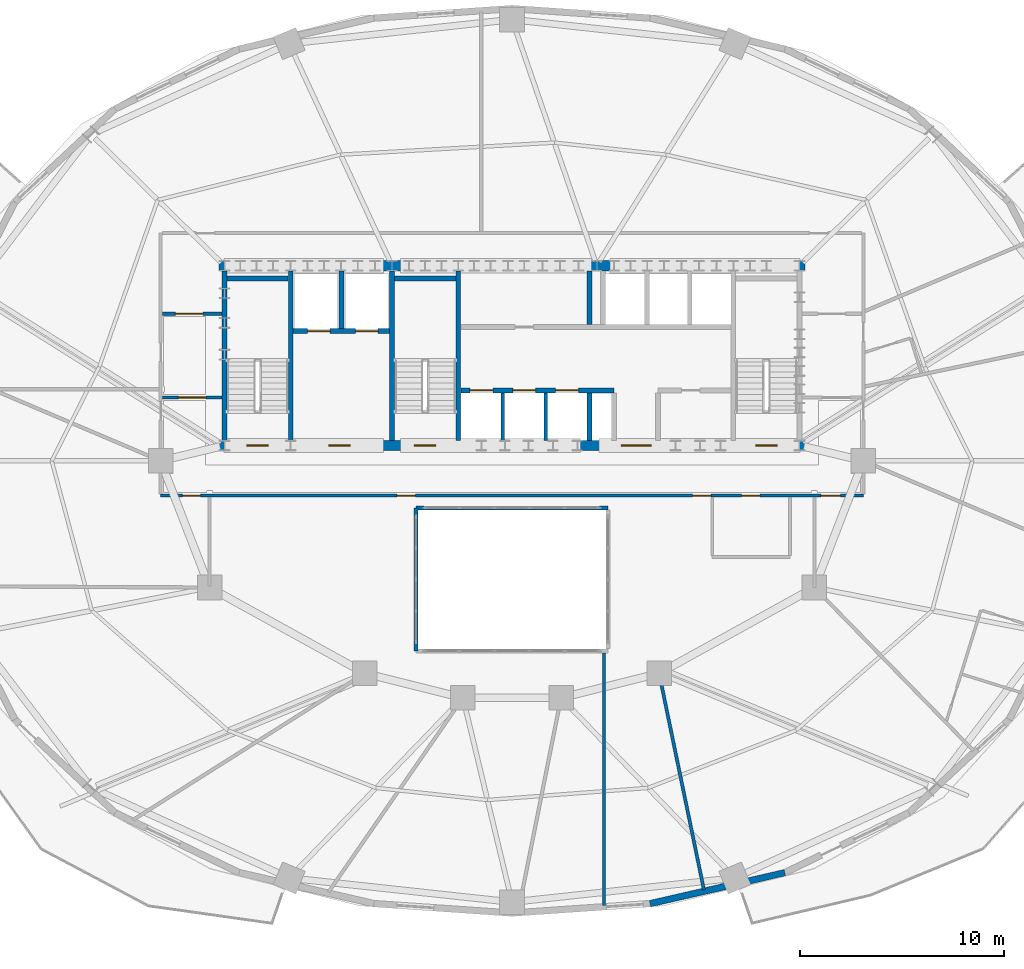
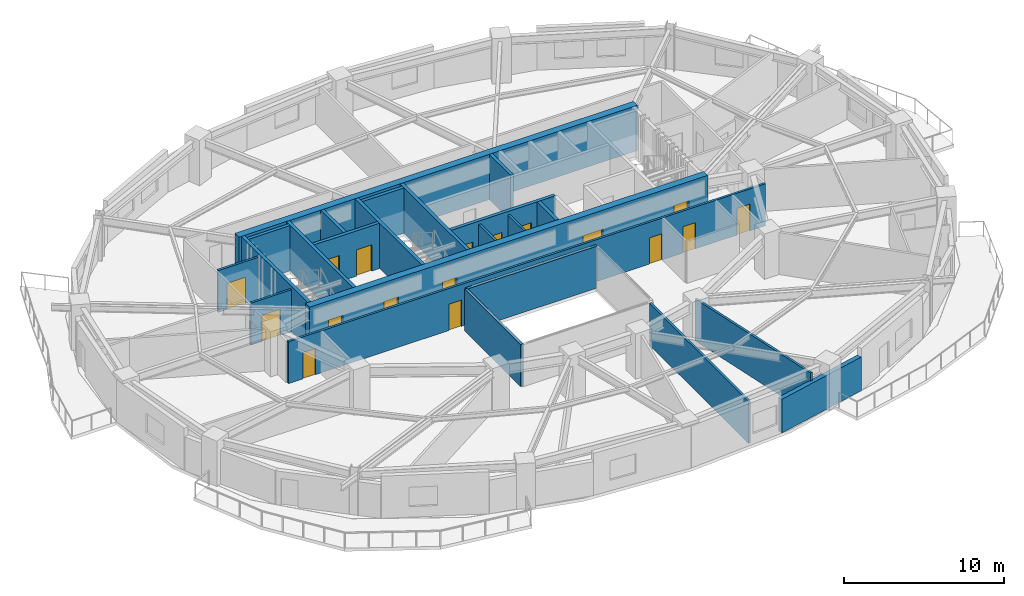
# One storey, part 7 of 12: 23 walls, 17 doors, 17 openings.
"""IFC4 building model written with IfcOpenShell, lengths in metres."""

from ifc_helpers import new_model, si_unit, direction, frame, frame_2d, origin, place, context, subcontext, project, spatial, rectangle, extrude, material, layer, layer_set, type_object, element, fill, save


model = new_model("IFC4")

# Units and contexts
model_context = context("Model", 3, precision=1e-05, world=origin(), true_north=direction((0.0, 1.0)))
body_context = subcontext(model_context, "Body", "Model", "MODEL_VIEW")
ifc_project = project(units=[si_unit("LENGTHUNIT", "METRE"), si_unit("AREAUNIT", "SQUARE_METRE"), si_unit("VOLUMEUNIT", "CUBIC_METRE"), si_unit("PLANEANGLEUNIT", "RADIAN"), si_unit("MASSUNIT", "GRAM", prefix="KILO")], contexts=[model_context])

# Site, building, storey
site_placement = place(None, origin())
site = spatial("IfcSite", under=ifc_project, at=site_placement, CompositionType="ELEMENT")
building_placement = place(site_placement, origin())
building = spatial("IfcBuilding", under=site, at=building_placement, Name="Haldorwick Loom Tower", CompositionType="ELEMENT")
storey_placement = place(building_placement, frame((0.0, 0.0, 117.35009765625)))
storey = spatial("IfcBuildingStorey", under=building, at=storey_placement, Name="L31", CompositionType="ELEMENT", Elevation=117.35009765625)

# Wall
ifc_material_1 = material(Name="Pressed Clay Face Brick and Insulated Masonry Backup Assembly", Category="masonry")
ifc_layer_1 = layer(ifc_material_1, 0.320068359375, Name="Pressed Clay Face Brick and Insulated Masonry Backup Assembly", Category="masonry")
ifc_layer_set_1 = layer_set([ifc_layer_1], Name="Pressed Clay Face Brick and Insulated Masonry Backup Assembly")
wall_type_1 = type_object("IfcWallType", Name="ARC-WL-EXT320", PredefinedType="STANDARD", material=ifc_layer_set_1)
wall_1_placement = place(storey_placement, frame((42.757080078125, 4.325439453125, 0.0), z_axis=(0.0, 0.0, 1.0), x_axis=(0.974584177714, 0.224021607329, 0.0)))
element("IfcWall", 1, at=wall_1_placement, inside=storey, type_object=wall_type_1, Name="L31 Brick Pier and Spandrel Wall 20", PredefinedType="STANDARD", context=body_context, shape_type="SweptSolid", body=[
    extrude(rectangle(XDim=6.767822265625, YDim=0.320068359375, at=frame_2d((3.3837890625, 0.0))), origin(), (0.0, 0.0, 1.0), 2.56884765625),
])

# Wall, openings, doors
ifc_material_2 = material(Name="Fire-Rated Type X Gypsum Stud Assembly EI 60")
ifc_layer_2 = layer(ifc_material_2, 0.159912109375, Name="Fire-Rated Type X Gypsum Stud Assembly EI 60")
ifc_layer_set_2 = layer_set([ifc_layer_2], Name="Fire-Rated Type X Gypsum Stud Assembly EI 60")
wall_type_2 = type_object("IfcWallType", Name="ARC-WL-FIRE160", PredefinedType="PARTITIONING", material=ifc_layer_set_2)
wall_2_placement = place(storey_placement, frame((18.800048828125, 24.300048828125, 0.0), z_axis=(0.0, 0.0, 1.0), x_axis=(1.0, 0.0, 0.0)))
wall_2 = element("IfcWall", 2, at=wall_2_placement, inside=storey, type_object=wall_type_2, Name="L31 Residential Fire Partition L31-CR-SP", PredefinedType="PARTITIONING", context=body_context, shape_type="SweptSolid", body=[
    extrude(rectangle(XDim=34.39990234375, YDim=0.159912109375, at=frame_2d((17.199951171875, 0.0))), origin(), (0.0, 0.0, 1.0), 3.19482421875),
])
opening_1_placement = place(wall_2_placement, frame((11.56787109375, 0.0, 0.0)))
opening_1 = element("IfcOpeningElement", 3, at=opening_1_placement, cuts=wall_2, Name="Opening D-FD60A", PredefinedType="OPENING", context=body_context, shape_type="SweptSolid", body=[
    extrude(rectangle(XDim=0.89990234375, YDim=2.0, at=frame_2d((0.449951171875, 1.0))), frame((0.0, 0.08984375, 0.0), z_axis=(0.0, -1.0, 0.0), x_axis=(1.0, 0.0, 0.0)), (0.0, 0.0, 1.0), 0.179931640625),
])
opening_2_placement = place(wall_2_placement, frame((26.04150390625, 0.0, 0.0)))
opening_2 = element("IfcOpeningElement", 4, at=opening_2_placement, cuts=wall_2, Name="Opening D-FD60A", PredefinedType="OPENING", context=body_context, shape_type="SweptSolid", body=[
    extrude(rectangle(XDim=0.89990234375, YDim=2.0, at=frame_2d((0.449951171875, 1.0))), frame((0.0, 0.08984375, 0.0), z_axis=(0.0, -1.0, 0.0), x_axis=(1.0, 0.0, 0.0)), (0.0, 0.0, 1.0), 0.179931640625),
])
opening_3_placement = place(wall_2_placement, frame((28.437255859375, 0.0, 0.0)))
opening_3 = element("IfcOpeningElement", 5, at=opening_3_placement, cuts=wall_2, Name="Opening D-FD60A", PredefinedType="OPENING", context=body_context, shape_type="SweptSolid", body=[
    extrude(rectangle(XDim=0.89990234375, YDim=2.0, at=frame_2d((0.449951171875, 1.0))), frame((0.0, 0.08984375, 0.0), z_axis=(0.0, -1.0, 0.0), x_axis=(1.0, 0.0, 0.0)), (0.0, 0.0, 1.0), 0.179931640625),
])
opening_4_placement = place(wall_2_placement, frame((1.063232421875, 0.0, 0.0)))
opening_4 = element("IfcOpeningElement", 6, at=opening_4_placement, cuts=wall_2, Name="Opening D-FD60A", PredefinedType="OPENING", context=body_context, shape_type="SweptSolid", body=[
    extrude(rectangle(XDim=0.89990234375, YDim=2.0, at=frame_2d((0.449951171875, 1.0))), frame((0.0, 0.08984375, 0.0), z_axis=(0.0, -1.0, 0.0), x_axis=(1.0, 0.0, 0.0)), (0.0, 0.0, 1.0), 0.179931640625),
])
opening_5_placement = place(wall_2_placement, frame((32.319091796875, 0.0, 0.0)))
opening_5 = element("IfcOpeningElement", 7, at=opening_5_placement, cuts=wall_2, Name="Opening D-FL95", PredefinedType="OPENING", context=body_context, shape_type="SweptSolid", body=[
    extrude(rectangle(XDim=0.949951171875, YDim=2.0400390625, at=frame_2d((0.47509765625, 1.02001953125))), frame((0.0, 0.08984375, 0.0), z_axis=(0.0, -1.0, 0.0), x_axis=(1.0, 0.0, 0.0)), (0.0, 0.0, 1.0), 0.179931640625),
])
ifc_material_3 = material(Name="Hollow Steel Fire Door Assembly", Category="steel")
door_type_1 = type_object("IfcDoorType", Name="ARC-DR-FD60-90", OperationType="NOTDEFINED", PredefinedType="DOOR", material=ifc_material_3)
door_1_placement = place(opening_1_placement, origin())
door_1 = element("IfcDoor", 8, at=door_1_placement, inside=storey, type_object=door_type_1, Name="L31 L31 Central Residential Corridor to Tenant Seminar Meeting Room 1 Do", OperationType="SINGLE_SWING_LEFT", OverallHeight=2.0, OverallWidth=0.89990234375, PredefinedType="DOOR", context=body_context, shape_type="SweptSolid", body=[
    extrude(rectangle(XDim=0.89990234375, YDim=2.0, at=frame_2d((0.449951171875, 1.0))), frame((0.0, 0.02490234375, 0.0), z_axis=(0.0, -1.0, 0.0), x_axis=(1.0, 0.0, 0.0)), (0.0, 0.0, 1.0), 0.050048828125),
])
fill(opening_1, door_1)
door_2_placement = place(opening_2_placement, origin())
door_2 = element("IfcDoor", 9, at=door_2_placement, inside=storey, type_object=door_type_1, Name="L31 L31 Central Residential Corridor to Tenant Seminar Meeting Room 2 Do", OperationType="SINGLE_SWING_RIGHT", OverallHeight=2.0, OverallWidth=0.89990234375, PredefinedType="DOOR", context=body_context, shape_type="SweptSolid", body=[
    extrude(rectangle(XDim=0.89990234375, YDim=2.0, at=frame_2d((0.449951171875, 1.0))), frame((0.0, 0.02490234375, 0.0), z_axis=(0.0, -1.0, 0.0), x_axis=(1.0, 0.0, 0.0)), (0.0, 0.0, 1.0), 0.050048828125),
])
fill(opening_2, door_2)
door_3_placement = place(opening_3_placement, origin())
door_3 = element("IfcDoor", 10, at=door_3_placement, inside=storey, type_object=door_type_1, Name="L31 L31 Central Residential Corridor to Common Accessible WC Door", OperationType="SINGLE_SWING_LEFT", OverallHeight=2.0, OverallWidth=0.89990234375, PredefinedType="DOOR", context=body_context, shape_type="SweptSolid", body=[
    extrude(rectangle(XDim=0.89990234375, YDim=2.0, at=frame_2d((0.449951171875, 1.0))), frame((0.0, 0.02490234375, 0.0), z_axis=(0.0, -1.0, 0.0), x_axis=(1.0, 0.0, 0.0)), (0.0, 0.0, 1.0), 0.050048828125),
])
fill(opening_3, door_3)
door_4_placement = place(opening_4_placement, origin())
door_4 = element("IfcDoor", 11, at=door_4_placement, inside=storey, type_object=door_type_1, Name="L31 L31 Central Residential Corridor to Tenant Seminar Meeting Room 2 Do", OperationType="SINGLE_SWING_LEFT", OverallHeight=2.0, OverallWidth=0.89990234375, PredefinedType="DOOR", context=body_context, shape_type="SweptSolid", body=[
    extrude(rectangle(XDim=0.89990234375, YDim=2.0, at=frame_2d((0.449951171875, 1.0))), frame((0.0, 0.02490234375, 0.0), z_axis=(0.0, -1.0, 0.0), x_axis=(1.0, 0.0, 0.0)), (0.0, 0.0, 1.0), 0.050048828125),
])
fill(opening_4, door_4)
ifc_material_4 = material(Name="Solid Core Birch Architectural Door")
door_type_2 = type_object("IfcDoorType", Name="ARC-DR-FLAT95", OperationType="NOTDEFINED", PredefinedType="DOOR", material=ifc_material_4)
door_5_placement = place(opening_5_placement, origin())
door_5 = element("IfcDoor", 12, at=door_5_placement, inside=storey, type_object=door_type_2, Name="L31 L31 Central Residential Corridor to Unit 31A Kitchen and Penthouse L", OperationType="SINGLE_SWING_RIGHT", OverallHeight=2.0400390625, OverallWidth=0.949951171875, PredefinedType="DOOR", context=body_context, shape_type="SweptSolid", body=[
    extrude(rectangle(XDim=0.949951171875, YDim=2.0400390625, at=frame_2d((0.47509765625, 1.02001953125))), frame((0.0, 0.02490234375, 0.0), z_axis=(0.0, -1.0, 0.0), x_axis=(1.0, 0.0, 0.0)), (0.0, 0.0, 1.0), 0.050048828125),
])
fill(opening_5, door_5)

# Wall, opening, door
wall_3_placement = place(storey_placement, frame((18.883056640625, 29.10009765625, 0.0), z_axis=(0.0, 0.0, 1.0), x_axis=(1.0, 0.0, 0.0)))
wall_3 = element("IfcWall", 13, at=wall_3_placement, inside=storey, type_object=wall_type_2, Name="L31 Residential Fire Partition L31-CR-WSJ", PredefinedType="PARTITIONING", context=body_context, shape_type="SweptSolid", body=[
    extrude(rectangle(XDim=2.923828125, YDim=0.159912109375, at=frame_2d((1.4619140625, 0.0))), origin(), (0.0, 0.0, 1.0), 3.19482421875),
])
opening_6_placement = place(wall_3_placement, frame((0.787109375, 0.0, 0.0)))
opening_6 = element("IfcOpeningElement", 14, at=opening_6_placement, cuts=wall_3, Name="Opening D-CR15", PredefinedType="OPENING", context=body_context, shape_type="SweptSolid", body=[
    extrude(rectangle(XDim=1.35009765625, YDim=2.0, at=frame_2d((0.675048828125, 1.0))), frame((0.0, 0.08984375, 0.0), z_axis=(0.0, -1.0, 0.0), x_axis=(1.0, 0.0, 0.0)), (0.0, 0.0, 1.0), 0.179931640625),
])
ifc_material_5 = material(Name="Thermally Broken Anodized Aluminium and Tempered Glass", Category="aluminium")
door_type_3 = type_object("IfcDoorType", Name="ARC-DR-COR150", OperationType="NOTDEFINED", PredefinedType="DOOR", material=ifc_material_5)
door_6_placement = place(opening_6_placement, origin())
door_6 = element("IfcDoor", 15, at=door_6_placement, inside=storey, type_object=door_type_3, Name="L31 L31 West Residential Corridor to L31 Central Residential Corridor Do", OperationType="DOUBLE_DOOR_SINGLE_SWING", OverallHeight=2.0, OverallWidth=1.35009765625, PredefinedType="DOOR", context=body_context, shape_type="SweptSolid", body=[
    extrude(rectangle(XDim=1.35009765625, YDim=2.0, at=frame_2d((0.675048828125, 1.0))), frame((0.0, 0.02490234375, 0.0), z_axis=(0.0, -1.0, 0.0), x_axis=(1.0, 0.0, 0.0)), (0.0, 0.0, 1.0), 0.050048828125),
])
fill(opening_6, door_6)

wall_4_placement = place(storey_placement, frame((18.883056640625, 33.199951171875, 0.0), z_axis=(0.0, 0.0, 1.0), x_axis=(1.0, 0.0, 0.0)))
wall_4 = element("IfcWall", 16, at=wall_4_placement, inside=storey, type_object=wall_type_2, Name="L31 Residential Fire Partition L31-CR-WNJ", PredefinedType="PARTITIONING", context=body_context, shape_type="SweptSolid", body=[
    extrude(rectangle(XDim=2.923828125, YDim=0.159912109375, at=frame_2d((1.4619140625, 0.0))), origin(), (0.0, 0.0, 1.0), 3.19482421875),
])
opening_7_placement = place(wall_4_placement, frame((0.637939453125, 0.0, 0.0)))
opening_7 = element("IfcOpeningElement", 17, at=opening_7_placement, cuts=wall_4, Name="Opening D-CR15", PredefinedType="OPENING", context=body_context, shape_type="SweptSolid", body=[
    extrude(rectangle(XDim=1.35009765625, YDim=2.0, at=frame_2d((0.675048828125, 1.0))), frame((0.0, 0.08984375, 0.0), z_axis=(0.0, -1.0, 0.0), x_axis=(1.0, 0.0, 0.0)), (0.0, 0.0, 1.0), 0.179931640625),
])
door_7_placement = place(opening_7_placement, origin())
door_7 = element("IfcDoor", 18, at=door_7_placement, inside=storey, type_object=door_type_3, Name="L31 L31 North Residential Corridor to L31 West Residential Corridor Door", OperationType="DOUBLE_DOOR_SINGLE_SWING", OverallHeight=2.0, OverallWidth=1.35009765625, PredefinedType="DOOR", context=body_context, shape_type="SweptSolid", body=[
    extrude(rectangle(XDim=1.35009765625, YDim=2.0, at=frame_2d((0.675048828125, 1.0))), frame((0.0, 0.02490234375, 0.0), z_axis=(0.0, -1.0, 0.0), x_axis=(1.0, 0.0, 0.0)), (0.0, 0.0, 1.0), 0.050048828125),
])
fill(opening_7, door_7)

# Walls
wall_5_placement = place(storey_placement, frame((43.199951171875, 15.60009765625, 0.0), z_axis=(0.0, 0.0, 1.0), x_axis=(0.202703286055, -0.979240204354, 0.0)))
element("IfcWall", 19, at=wall_5_placement, inside=storey, type_object=wall_type_2, Name="L31 Residential Fire Partition L31-ICR-05", PredefinedType="PARTITIONING", context=body_context, shape_type="SweptSolid", body=[
    extrude(rectangle(XDim=10.82666015625, YDim=0.159912109375, at=frame_2d((5.413330078125, 0.0))), origin(), (0.0, 0.0, 1.0), 3.19482421875),
])
wall_6_placement = place(storey_placement, frame((40.5, 4.235595703125, 0.0), z_axis=(0.0, 0.0, 1.0), x_axis=(0.0, 1.0, 0.0)))
element("IfcWall", 20, at=wall_6_placement, inside=storey, type_object=wall_type_2, Name="L31 Residential Fire Partition L31-SBP-1", PredefinedType="PARTITIONING", context=body_context, shape_type="SweptSolid", body=[
    extrude(rectangle(XDim=12.361328125, YDim=0.159912109375, at=frame_2d((6.1806640625, 0.0))), origin(), (0.0, 0.0, 1.0), 3.19482421875),
])
ifc_material_6 = material(Name="Fire-Rated Type X Gypsum Stud Assembly EI 120")
ifc_layer_3 = layer(ifc_material_6, 0.199951171875, Name="Fire-Rated Type X Gypsum Stud Assembly EI 120")
ifc_layer_set_3 = layer_set([ifc_layer_3], Name="Fire-Rated Type X Gypsum Stud Assembly EI 120")
wall_type_3 = type_object("IfcWallType", Name="ARC-WL-FIRE200", PredefinedType="PARTITIONING", material=ifc_layer_set_3)
wall_7_placement = place(storey_placement, frame((31.300048828125, 23.699951171875, 0.0), z_axis=(0.0, 0.0, 1.0), x_axis=(1.0, 0.0, 0.0)))
element("IfcWall", 21, at=wall_7_placement, inside=storey, type_object=wall_type_3, Name="L31 Atrium Fire Enclosure Wall N", PredefinedType="PARTITIONING", context=body_context, shape_type="SweptSolid", body=[
    extrude(rectangle(XDim=9.39990234375, YDim=0.199951171875, at=frame_2d((4.699951171875, 0.0))), origin(), (0.0, 0.0, 1.0), 3.19482421875),
])
wall_8_placement = place(storey_placement, frame((31.300048828125, 16.699951171875, 0.0), z_axis=(0.0, 0.0, 1.0), x_axis=(0.0, 1.0, 0.0)))
element("IfcWall", 22, at=wall_8_placement, inside=storey, type_object=wall_type_3, Name="L31 Atrium Fire Enclosure Wall W", PredefinedType="PARTITIONING", context=body_context, shape_type="SweptSolid", body=[
    extrude(rectangle(XDim=7.0, YDim=0.199951171875, at=frame_2d((3.5, 0.0))), origin(), (0.0, 0.0, 1.0), 3.19482421875),
])
ifc_layer_4 = layer(ifc_material_6, 0.1650390625, Name="Fire-Rated Type X Gypsum Stud Assembly EI 120")
ifc_layer_set_4 = layer_set([ifc_layer_4], Name="Fire-Rated Type X Gypsum Stud Assembly EI 120")
wall_type_4 = type_object("IfcWallType", Name="ARC-WL-SHAFT160", PredefinedType="MOVABLE", material=ifc_layer_set_4)
for number, where, z_axis, x_axis, name in (
    (23, (35.550048828125, 27.0029296875, 0.0), (0.0, 0.0, 1.0), (0.0, 1.0, 0.0), "L31 Mid-Rise Hoistway Divider 1"),
    (24, (37.64990234375, 27.0029296875, 0.0), (0.0, 0.0, 1.0), (0.0, 1.0, 0.0), "L31 Mid-Rise Hoistway Divider 2"),
):
    element("IfcWall", number, at=place(storey_placement, frame(where, z_axis=z_axis, x_axis=x_axis)), inside=storey, type_object=wall_type_4, Name=name, PredefinedType="MOVABLE", context=body_context, shape_type="SweptSolid", body=[
        extrude(rectangle(XDim=2.323974609375, YDim=0.159912109375, at=frame_2d((1.162109375, 0.0))), origin(), (0.0, 0.0, 1.0), 3.19482421875),
    ])

# Wall, openings, doors
ifc_material_7 = material(Name="Concrete C60 (60 MPa)", Category="concrete")
ifc_layer_5 = layer(ifc_material_7, 0.5, Name="Concrete C60 (60 MPa)", Category="concrete")
ifc_layer_set_5 = layer_set([ifc_layer_5], Name="Concrete C60 (60 MPa)")
wall_type_5 = type_object("IfcWallType", Name="STR-WL-CORE500", PredefinedType="SHEAR", material=ifc_layer_set_5)
wall_9_placement = place(storey_placement, frame((21.64990234375, 26.75, 0.0), z_axis=(0.0, 0.0, 1.0), x_axis=(1.0, 0.0, 0.0)))
wall_9 = element("IfcWall", 25, at=wall_9_placement, inside=storey, type_object=wall_type_5, Name="L31 Core Shear Wall S", PredefinedType="SHEAR", context=body_context, shape_type="SweptSolid", body=[
    extrude(rectangle(XDim=28.7001953125, YDim=0.5, at=frame_2d((14.35009765625, 0.0))), origin(), (0.0, 0.0, 1.0), 3.449951171875),
])
opening_8_placement = place(wall_9_placement, frame((1.375, 0.0, 0.0)))
opening_8 = element("IfcOpeningElement", 26, at=opening_8_placement, cuts=wall_9, Name="Opening D-FD60", PredefinedType="OPENING", context=body_context, shape_type="SweptSolid", body=[
    extrude(rectangle(XDim=1.050048828125, YDim=2.0, at=frame_2d((0.52490234375, 1.0))), frame((0.0, 0.260009765625, 0.0), z_axis=(0.0, -1.0, 0.0), x_axis=(1.0, 0.0, 0.0)), (0.0, 0.0, 1.0), 0.52001953125),
])
opening_9_placement = place(wall_9_placement, frame((5.375, 0.0, 0.0)))
opening_9 = element("IfcOpeningElement", 27, at=opening_9_placement, cuts=wall_9, Name="Opening D-FD60", PredefinedType="OPENING", context=body_context, shape_type="SweptSolid", body=[
    extrude(rectangle(XDim=1.050048828125, YDim=2.0, at=frame_2d((0.52490234375, 1.0))), frame((0.0, 0.260009765625, 0.0), z_axis=(0.0, -1.0, 0.0), x_axis=(1.0, 0.0, 0.0)), (0.0, 0.0, 1.0), 0.52001953125),
])
opening_10_placement = place(wall_9_placement, frame((9.574951171875, 0.0, 0.0)))
opening_10 = element("IfcOpeningElement", 28, at=opening_10_placement, cuts=wall_9, Name="Opening D-FD60", PredefinedType="OPENING", context=body_context, shape_type="SweptSolid", body=[
    extrude(rectangle(XDim=1.050048828125, YDim=2.0, at=frame_2d((0.52490234375, 1.0))), frame((0.0, 0.260009765625, 0.0), z_axis=(0.0, -1.0, 0.0), x_axis=(1.0, 0.0, 0.0)), (0.0, 0.0, 1.0), 0.52001953125),
])
opening_11_placement = place(wall_9_placement, frame((19.705078125, 0.0, 0.0)))
opening_11 = element("IfcOpeningElement", 29, at=opening_11_placement, cuts=wall_9, Name="Opening D-LB15", PredefinedType="OPENING", context=body_context, shape_type="SweptSolid", body=[
    extrude(rectangle(XDim=1.449951171875, YDim=2.0, at=frame_2d((0.72509765625, 1.0))), frame((0.0, 0.260009765625, 0.0), z_axis=(0.0, -1.0, 0.0), x_axis=(1.0, 0.0, 0.0)), (0.0, 0.0, 1.0), 0.52001953125),
])
opening_12_placement = place(wall_9_placement, frame((26.27490234375, 0.0, 0.0)))
opening_12 = element("IfcOpeningElement", 30, at=opening_12_placement, cuts=wall_9, Name="Opening D-FD60", PredefinedType="OPENING", context=body_context, shape_type="SweptSolid", body=[
    extrude(rectangle(XDim=1.050048828125, YDim=2.0, at=frame_2d((0.52490234375, 1.0))), frame((0.0, 0.260009765625, 0.0), z_axis=(0.0, -1.0, 0.0), x_axis=(1.0, 0.0, 0.0)), (0.0, 0.0, 1.0), 0.52001953125),
])
door_type_4 = type_object("IfcDoorType", Name="ARC-DR-FD60", OperationType="NOTDEFINED", PredefinedType="DOOR", material=ifc_material_3)
door_8_placement = place(opening_8_placement, origin())
door_8 = element("IfcDoor", 31, at=door_8_placement, inside=storey, type_object=door_type_4, Name="L31 Exit Stair ST-01 Fire Door", OperationType="SINGLE_SWING_LEFT", OverallHeight=2.0, OverallWidth=1.050048828125, PredefinedType="DOOR", context=body_context, shape_type="SweptSolid", body=[
    extrude(rectangle(XDim=1.050048828125, YDim=2.0, at=frame_2d((0.52490234375, 1.0))), frame((0.0, 0.02490234375, 0.0), z_axis=(0.0, -1.0, 0.0), x_axis=(1.0, 0.0, 0.0)), (0.0, 0.0, 1.0), 0.050048828125),
])
fill(opening_8, door_8)
door_9_placement = place(opening_9_placement, origin())
door_9 = element("IfcDoor", 32, at=door_9_placement, inside=storey, type_object=door_type_4, Name="L31 Firefighting Lift Lobby Fire Door", OperationType="SINGLE_SWING_RIGHT", OverallHeight=2.0, OverallWidth=1.050048828125, PredefinedType="DOOR", context=body_context, shape_type="SweptSolid", body=[
    extrude(rectangle(XDim=1.050048828125, YDim=2.0, at=frame_2d((0.52490234375, 1.0))), frame((0.0, 0.02490234375, 0.0), z_axis=(0.0, -1.0, 0.0), x_axis=(1.0, 0.0, 0.0)), (0.0, 0.0, 1.0), 0.050048828125),
])
fill(opening_9, door_9)
door_10_placement = place(opening_10_placement, origin())
door_10 = element("IfcDoor", 33, at=door_10_placement, inside=storey, type_object=door_type_4, Name="L31 Exit Stair ST-03 Fire Door", OperationType="SINGLE_SWING_LEFT", OverallHeight=2.0, OverallWidth=1.050048828125, PredefinedType="DOOR", context=body_context, shape_type="SweptSolid", body=[
    extrude(rectangle(XDim=1.050048828125, YDim=2.0, at=frame_2d((0.52490234375, 1.0))), frame((0.0, 0.02490234375, 0.0), z_axis=(0.0, -1.0, 0.0), x_axis=(1.0, 0.0, 0.0)), (0.0, 0.0, 1.0), 0.050048828125),
])
fill(opening_10, door_10)
door_11_placement = place(opening_12_placement, origin())
door_11 = element("IfcDoor", 34, at=door_11_placement, inside=storey, type_object=door_type_4, Name="L31 Exit Stair ST-02 Fire Door", OperationType="SINGLE_SWING_LEFT", OverallHeight=2.0, OverallWidth=1.050048828125, PredefinedType="DOOR", context=body_context, shape_type="SweptSolid", body=[
    extrude(rectangle(XDim=1.050048828125, YDim=2.0, at=frame_2d((0.52490234375, 1.0))), frame((0.0, 0.02490234375, 0.0), z_axis=(0.0, -1.0, 0.0), x_axis=(1.0, 0.0, 0.0)), (0.0, 0.0, 1.0), 0.050048828125),
])
fill(opening_12, door_11)
door_type_5 = type_object("IfcDoorType", Name="ARC-DR-LOB150", OperationType="NOTDEFINED", PredefinedType="DOOR", material=ifc_material_5)
door_12_placement = place(opening_11_placement, frame((1.449951171875, 0.0, 0.0), z_axis=(0.0, 0.0, 1.0), x_axis=(-1.0, 0.0, 0.0)))
door_12 = element("IfcDoor", 35, at=door_12_placement, inside=storey, type_object=door_type_5, Name="L31 Passenger Lift Lobby Fire Door", OperationType="DOUBLE_DOOR_SINGLE_SWING", OverallHeight=2.0, OverallWidth=1.449951171875, PredefinedType="DOOR", context=body_context, shape_type="SweptSolid", body=[
    extrude(rectangle(XDim=1.449951171875, YDim=2.0, at=frame_2d((0.72509765625, 1.0))), frame((0.0, 0.02490234375, 0.0), z_axis=(0.0, -1.0, 0.0), x_axis=(1.0, 0.0, 0.0)), (0.0, 0.0, 1.0), 0.050048828125),
])
fill(opening_11, door_12)

# Walls
wall_10_placement = place(storey_placement, frame((50.35009765625, 35.550048828125, 0.0), z_axis=(0.0, 0.0, 1.0), x_axis=(-1.0, 0.0, 0.0)))
element("IfcWall", 36, at=wall_10_placement, inside=storey, type_object=wall_type_5, Name="L31 Core Shear Wall N", PredefinedType="SHEAR", context=body_context, shape_type="SweptSolid", body=[
    extrude(rectangle(XDim=28.7001953125, YDim=0.5, at=frame_2d((14.35009765625, 0.0))), origin(), (0.0, 0.0, 1.0), 3.449951171875),
])
ifc_material_8 = material(Name="Concrete C50 (50 MPa)", Category="concrete")
ifc_layer_6 = layer(ifc_material_8, 0.239990234375, Name="Concrete C50 (50 MPa)", Category="concrete")
ifc_layer_set_6 = layer_set([ifc_layer_6], Name="Concrete C50 (50 MPa)")
wall_type_6 = type_object("IfcWallType", Name="STR-WL-SHAFT240", PredefinedType="SHEAR", material=ifc_layer_set_6)
for number, where, z_axis, x_axis, name in (
    (37, (21.929931640625, 35.297119140625, 0.0), (0.0, 0.0, 1.0), (0.0, -1.0, 0.0), "L31 Core Shear Wall W"),
    (38, (25.169921875, 27.0029296875, 0.0), (0.0, 0.0, 1.0), (0.0, 1.0, 0.0), "L31 Core Shear Wall 1"),
):
    element("IfcWall", number, at=place(storey_placement, frame(where, z_axis=z_axis, x_axis=x_axis)), inside=storey, type_object=wall_type_6, Name=name, PredefinedType="SHEAR", context=body_context, shape_type="SweptSolid", body=[
        extrude(rectangle(XDim=8.294189453125, YDim=0.239990234375, at=frame_2d((4.14697265625, 0.0))), origin(), (0.0, 0.0, 1.0), 3.449951171875),
    ])
wall_11_placement = place(storey_placement, frame((22.052978515625, 34.919921875, 0.0), z_axis=(0.0, 0.0, 1.0), x_axis=(1.0, 0.0, 0.0)))
element("IfcWall", 39, at=wall_11_placement, inside=storey, type_object=wall_type_6, Name="L31 Core Shear Wall 1N", PredefinedType="SHEAR", context=body_context, shape_type="SweptSolid", body=[
    extrude(rectangle(XDim=2.994140625, YDim=0.239990234375, at=frame_2d((1.4970703125, 0.0))), origin(), (0.0, 0.0, 1.0), 3.449951171875),
])
for number, where, z_axis, x_axis, name in (
    (40, (30.1298828125, 27.0029296875, 0.0), (0.0, 0.0, 1.0), (0.0, 1.0, 0.0), "L31 Core Shear Wall 2"),
    (41, (33.3701171875, 27.0029296875, 0.0), (0.0, 0.0, 1.0), (0.0, 1.0, 0.0), "L31 Core Shear Wall 3"),
):
    element("IfcWall", number, at=place(storey_placement, frame(where, z_axis=z_axis, x_axis=x_axis)), inside=storey, type_object=wall_type_6, Name=name, PredefinedType="SHEAR", context=body_context, shape_type="SweptSolid", body=[
        extrude(rectangle(XDim=8.294189453125, YDim=0.239990234375, at=frame_2d((4.14697265625, 0.0))), origin(), (0.0, 0.0, 1.0), 3.449951171875),
    ])
wall_12_placement = place(storey_placement, frame((30.2529296875, 34.919921875, 0.0), z_axis=(0.0, 0.0, 1.0), x_axis=(1.0, 0.0, 0.0)))
element("IfcWall", 42, at=wall_12_placement, inside=storey, type_object=wall_type_6, Name="L31 Core Shear Wall 3N", PredefinedType="SHEAR", context=body_context, shape_type="SweptSolid", body=[
    extrude(rectangle(XDim=2.994140625, YDim=0.239990234375, at=frame_2d((1.4970703125, 0.0))), origin(), (0.0, 0.0, 1.0), 3.449951171875),
])

# Wall, openings, doors
wall_13_placement = place(storey_placement, frame((25.29296875, 32.35009765625, 0.0), z_axis=(0.0, 0.0, 1.0), x_axis=(1.0, 0.0, 0.0)))
wall_13 = element("IfcWall", 43, at=wall_13_placement, inside=storey, type_object=wall_type_6, Name="L31 Core Shear Wall FF", PredefinedType="SHEAR", context=body_context, shape_type="SweptSolid", body=[
    extrude(rectangle(XDim=4.714111328125, YDim=0.239990234375, at=frame_2d((2.35693359375, 0.0))), origin(), (0.0, 0.0, 1.0), 3.449951171875),
])
opening_13_placement = place(wall_13_placement, frame((0.70703125, 0.0, 0.0)))
opening_13 = element("IfcOpeningElement", 44, at=opening_13_placement, cuts=wall_13, Name="Opening LD-FF1", PredefinedType="OPENING", context=body_context, shape_type="SweptSolid", body=[
    extrude(rectangle(XDim=1.10009765625, YDim=2.0, at=frame_2d((0.550048828125, 1.0))), frame((0.0, 0.1298828125, 0.0), z_axis=(0.0, -1.0, 0.0), x_axis=(1.0, 0.0, 0.0)), (0.0, 0.0, 1.0), 0.260009765625),
])
opening_14_placement = place(wall_13_placement, frame((3.056884765625, 0.0, 0.0)))
opening_14 = element("IfcOpeningElement", 45, at=opening_14_placement, cuts=wall_13, Name="Opening LD-FF2", PredefinedType="OPENING", context=body_context, shape_type="SweptSolid", body=[
    extrude(rectangle(XDim=1.10009765625, YDim=2.0, at=frame_2d((0.550048828125, 1.0))), frame((0.0, 0.1298828125, 0.0), z_axis=(0.0, -1.0, 0.0), x_axis=(1.0, 0.0, 0.0)), (0.0, 0.0, 1.0), 0.260009765625),
])
door_type_6 = type_object("IfcDoorType", Name="ARC-DR-LD-FF", OperationType="NOTDEFINED", PredefinedType="USERDEFINED", material=ifc_material_3)
door_13_placement = place(opening_13_placement, origin())
door_13 = element("IfcDoor", 46, at=door_13_placement, inside=storey, type_object=door_type_6, Name="L31 Lift LF-FF1 Sliding Landing Door", ObjectType="LANDING DOOR", OperationType="DOUBLE_DOOR_SLIDING", OverallHeight=2.0, OverallWidth=1.10009765625, PredefinedType="USERDEFINED", context=body_context, shape_type="SweptSolid", body=[
    extrude(rectangle(XDim=1.10009765625, YDim=2.0, at=frame_2d((0.550048828125, 1.0))), frame((0.0, 0.02490234375, 0.0), z_axis=(0.0, -1.0, 0.0), x_axis=(1.0, 0.0, 0.0)), (0.0, 0.0, 1.0), 0.050048828125),
])
fill(opening_13, door_13)
door_14_placement = place(opening_14_placement, origin())
door_14 = element("IfcDoor", 47, at=door_14_placement, inside=storey, type_object=door_type_6, Name="L31 Lift LF-FF2 Sliding Landing Door", ObjectType="LANDING DOOR", OperationType="DOUBLE_DOOR_SLIDING", OverallHeight=2.0, OverallWidth=1.10009765625, PredefinedType="USERDEFINED", context=body_context, shape_type="SweptSolid", body=[
    extrude(rectangle(XDim=1.10009765625, YDim=2.0, at=frame_2d((0.550048828125, 1.0))), frame((0.0, 0.02490234375, 0.0), z_axis=(0.0, -1.0, 0.0), x_axis=(1.0, 0.0, 0.0)), (0.0, 0.0, 1.0), 0.050048828125),
])
fill(opening_14, door_14)

# Wall
wall_14_placement = place(storey_placement, frame((27.64990234375, 32.472900390625, 0.0), z_axis=(0.0, 0.0, 1.0), x_axis=(0.0, 1.0, 0.0)))
element("IfcWall", 48, at=wall_14_placement, inside=storey, type_object=wall_type_6, Name="L31 Core Shear Wall FFD", PredefinedType="SHEAR", context=body_context, shape_type="SweptSolid", body=[
    extrude(rectangle(XDim=2.82421875, YDim=0.239990234375, at=frame_2d((1.412109375, 0.0))), origin(), (0.0, 0.0, 1.0), 3.449951171875),
])

# Wall, openings, doors
wall_15_placement = place(storey_placement, frame((33.492919921875, 29.449951171875, 0.0), z_axis=(0.0, 0.0, 1.0), x_axis=(1.0, 0.0, 0.0)))
wall_15 = element("IfcWall", 49, at=wall_15_placement, inside=storey, type_object=wall_type_6, Name="L31 Core Shear Wall LS1", PredefinedType="SHEAR", context=body_context, shape_type="SweptSolid", body=[
    extrude(rectangle(XDim=7.507080078125, YDim=0.239990234375, at=frame_2d((3.75341796875, 0.0))), origin(), (0.0, 0.0, 1.0), 3.449951171875),
])
opening_15_placement = place(wall_15_placement, frame((0.447021484375, 0.0, 0.0)))
opening_15 = element("IfcOpeningElement", 50, at=opening_15_placement, cuts=wall_15, Name="Opening LD-M1", PredefinedType="OPENING", context=body_context, shape_type="SweptSolid", body=[
    extrude(rectangle(XDim=1.1201171875, YDim=2.0, at=frame_2d((0.56005859375, 1.0))), frame((0.0, 0.1298828125, 0.0), z_axis=(0.0, -1.0, 0.0), x_axis=(1.0, 0.0, 0.0)), (0.0, 0.0, 1.0), 0.260009765625),
])
opening_16_placement = place(wall_15_placement, frame((2.547119140625, 0.0, 0.0)))
opening_16 = element("IfcOpeningElement", 51, at=opening_16_placement, cuts=wall_15, Name="Opening LD-M2", PredefinedType="OPENING", context=body_context, shape_type="SweptSolid", body=[
    extrude(rectangle(XDim=1.1201171875, YDim=2.0, at=frame_2d((0.56005859375, 1.0))), frame((0.0, 0.1298828125, 0.0), z_axis=(0.0, -1.0, 0.0), x_axis=(1.0, 0.0, 0.0)), (0.0, 0.0, 1.0), 0.260009765625),
])
opening_17_placement = place(wall_15_placement, frame((4.64697265625, 0.0, 0.0)))
opening_17 = element("IfcOpeningElement", 52, at=opening_17_placement, cuts=wall_15, Name="Opening LD-M3", PredefinedType="OPENING", context=body_context, shape_type="SweptSolid", body=[
    extrude(rectangle(XDim=1.1201171875, YDim=2.0, at=frame_2d((0.56005859375, 1.0))), frame((0.0, 0.1298828125, 0.0), z_axis=(0.0, -1.0, 0.0), x_axis=(1.0, 0.0, 0.0)), (0.0, 0.0, 1.0), 0.260009765625),
])
door_type_7 = type_object("IfcDoorType", Name="ARC-DR-LD-PAX", OperationType="NOTDEFINED", PredefinedType="USERDEFINED", material=ifc_material_3)
door_15_placement = place(opening_15_placement, origin())
door_15 = element("IfcDoor", 53, at=door_15_placement, inside=storey, type_object=door_type_7, Name="L31 Lift LF-M1 Sliding Landing Door", ObjectType="LANDING DOOR", OperationType="DOUBLE_DOOR_SLIDING", OverallHeight=2.0, OverallWidth=1.1201171875, PredefinedType="USERDEFINED", context=body_context, shape_type="SweptSolid", body=[
    extrude(rectangle(XDim=1.1201171875, YDim=2.0, at=frame_2d((0.56005859375, 1.0))), frame((0.0, 0.02490234375, 0.0), z_axis=(0.0, -1.0, 0.0), x_axis=(1.0, 0.0, 0.0)), (0.0, 0.0, 1.0), 0.050048828125),
])
fill(opening_15, door_15)
door_16_placement = place(opening_16_placement, origin())
door_16 = element("IfcDoor", 54, at=door_16_placement, inside=storey, type_object=door_type_7, Name="L31 Lift LF-M2 Sliding Landing Door", ObjectType="LANDING DOOR", OperationType="DOUBLE_DOOR_SLIDING", OverallHeight=2.0, OverallWidth=1.1201171875, PredefinedType="USERDEFINED", context=body_context, shape_type="SweptSolid", body=[
    extrude(rectangle(XDim=1.1201171875, YDim=2.0, at=frame_2d((0.56005859375, 1.0))), frame((0.0, 0.02490234375, 0.0), z_axis=(0.0, -1.0, 0.0), x_axis=(1.0, 0.0, 0.0)), (0.0, 0.0, 1.0), 0.050048828125),
])
fill(opening_16, door_16)
door_17_placement = place(opening_17_placement, origin())
door_17 = element("IfcDoor", 55, at=door_17_placement, inside=storey, type_object=door_type_7, Name="L31 Lift LF-M3 Sliding Landing Door", ObjectType="LANDING DOOR", OperationType="DOUBLE_DOOR_SLIDING", OverallHeight=2.0, OverallWidth=1.1201171875, PredefinedType="USERDEFINED", context=body_context, shape_type="SweptSolid", body=[
    extrude(rectangle(XDim=1.1201171875, YDim=2.0, at=frame_2d((0.56005859375, 1.0))), frame((0.0, 0.02490234375, 0.0), z_axis=(0.0, -1.0, 0.0), x_axis=(1.0, 0.0, 0.0)), (0.0, 0.0, 1.0), 0.050048828125),
])
fill(opening_17, door_17)

# Walls
wall_16_placement = place(storey_placement, frame((39.800048828125, 32.673095703125, 0.0), z_axis=(0.0, 0.0, 1.0), x_axis=(0.0, 1.0, 0.0)))
element("IfcWall", 56, at=wall_16_placement, inside=storey, type_object=wall_type_6, Name="L31 Core Shear Wall LHW", PredefinedType="SHEAR", context=body_context, shape_type="SweptSolid", body=[
    extrude(rectangle(XDim=2.6240234375, YDim=0.239990234375, at=frame_2d((1.31201171875, 0.0))), origin(), (0.0, 0.0, 1.0), 3.449951171875),
])
wall_17_placement = place(storey_placement, frame((39.800048828125, 27.0029296875, 0.0), z_axis=(0.0, 0.0, 1.0), x_axis=(0.0, 1.0, 0.0)))
element("IfcWall", 57, at=wall_17_placement, inside=storey, type_object=wall_type_6, Name="L31 Core Shear Wall MRW", PredefinedType="SHEAR", context=body_context, shape_type="SweptSolid", body=[
    extrude(rectangle(XDim=2.323974609375, YDim=0.239990234375, at=frame_2d((1.162109375, 0.0))), origin(), (0.0, 0.0, 1.0), 3.449951171875),
])

save(model, "model.ifc")
